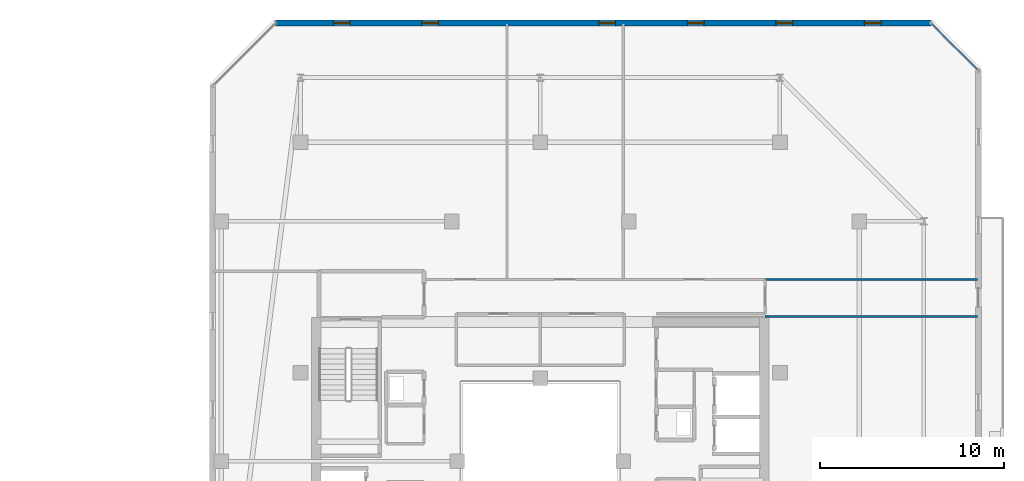
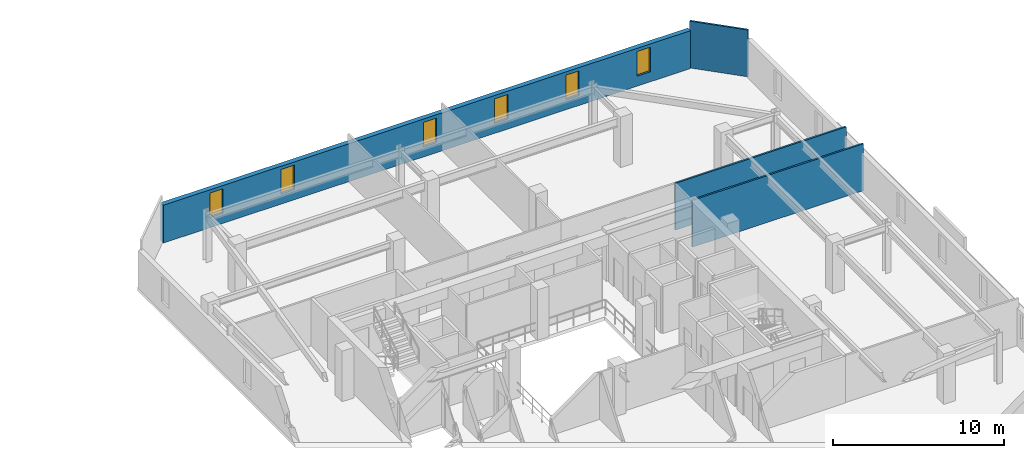
# One storey, part 28 of 35: 6 windows, 4 walls, 6 openings.
"""IFC4 building model written with IfcOpenShell, lengths in metres."""

from ifc_helpers import new_model, si_unit, direction, frame, frame_2d, origin, place, context, subcontext, project, spatial, rectangle, extrude, material, layer, layer_set, type_object, element, fill, save


model = new_model("IFC4")

# Units and contexts
model_context = context("Model", 3, precision=1e-05, world=origin(), true_north=direction((0.0, 1.0)))
body_context = subcontext(model_context, "Body", "Model", "MODEL_VIEW")
ifc_project = project(units=[si_unit("LENGTHUNIT", "METRE"), si_unit("AREAUNIT", "SQUARE_METRE"), si_unit("VOLUMEUNIT", "CUBIC_METRE"), si_unit("PLANEANGLEUNIT", "RADIAN"), si_unit("MASSUNIT", "GRAM", prefix="KILO")], contexts=[model_context])

# Site, building, storey
site_placement = place(None, origin())
site = spatial("IfcSite", under=ifc_project, at=site_placement, CompositionType="ELEMENT")
building_placement = place(site_placement, origin())
building = spatial("IfcBuilding", under=site, at=building_placement, Name="Thornwick Lancets Civic Towers", CompositionType="ELEMENT")
storey_placement = place(building_placement, frame((0.0, 0.0, 265.5)))
storey = spatial("IfcBuildingStorey", under=building, at=storey_placement, Name="L71", CompositionType="ELEMENT", Elevation=265.5)

# Wall, openings, windows
ifc_material_1 = material(Name="Insulated buff terracotta rainscreen on concrete C40/50", Category="masonry")
ifc_layer_1 = layer(ifc_material_1, 0.320068359375, Name="Insulated buff terracotta rainscreen on concrete C40/50")
ifc_layer_set_1 = layer_set([ifc_layer_1], Name="Insulated buff terracotta rainscreen on concrete C40/50")
wall_type_1 = type_object("IfcWallType", Name="WALL_EXT_TERRA_320", PredefinedType="STANDARD", material=ifc_layer_set_1)
wall_1_placement = place(storey_placement, frame((109.681396484375, 50.7646484375, 0.0), z_axis=(0.0, 0.0, 1.0), x_axis=(-0.999999997144, -7.5574884e-05, 0.0)))
wall_1 = element("IfcWall", 1, at=wall_1_placement, inside=storey, type_object=wall_type_1, Name="L71 Tower B Terracotta Facade Wall E4", PredefinedType="STANDARD", context=body_context, shape_type="SweptSolid", body=[
    extrude(rectangle(XDim=35.534912109375, YDim=0.320068359375, at=frame_2d((17.767578125, 0.0))), origin(), (0.0, 0.0, 1.0), 2.699951171875),
])
opening_1_placement = place(wall_1_placement, frame((2.699951171875, 0.0, 0.719970703125)))
opening_1 = element("IfcOpeningElement", 2, at=opening_1_placement, cuts=wall_1, Name="Opening WL-01", PredefinedType="OPENING", context=body_context, shape_type="SweptSolid", body=[
    extrude(rectangle(XDim=0.89990234375, YDim=1.75, at=frame_2d((0.449951171875, 0.875))), frame((0.0, 0.169921875, 0.0), z_axis=(0.0, -1.0, 0.0), x_axis=(1.0, 0.0, 0.0)), (0.0, 0.0, 1.0), 0.340087890625),
])
opening_2_placement = place(wall_1_placement, frame((7.5, 0.0, 0.719970703125)))
opening_2 = element("IfcOpeningElement", 3, at=opening_2_placement, cuts=wall_1, Name="Opening WL-01", PredefinedType="OPENING", context=body_context, shape_type="SweptSolid", body=[
    extrude(rectangle(XDim=0.89990234375, YDim=1.75, at=frame_2d((0.449951171875, 0.875))), frame((0.0, 0.169921875, 0.0), z_axis=(0.0, -1.0, 0.0), x_axis=(1.0, 0.0, 0.0)), (0.0, 0.0, 1.0), 0.340087890625),
])
opening_3_placement = place(wall_1_placement, frame((12.300048828125, 0.0, 0.719970703125)))
opening_3 = element("IfcOpeningElement", 4, at=opening_3_placement, cuts=wall_1, Name="Opening WL-01", PredefinedType="OPENING", context=body_context, shape_type="SweptSolid", body=[
    extrude(rectangle(XDim=0.89990234375, YDim=1.75, at=frame_2d((0.449951171875, 0.875))), frame((0.0, 0.169921875, 0.0), z_axis=(0.0, -1.0, 0.0), x_axis=(1.0, 0.0, 0.0)), (0.0, 0.0, 1.0), 0.340087890625),
])
opening_4_placement = place(wall_1_placement, frame((17.10009765625, 0.0, 0.719970703125)))
opening_4 = element("IfcOpeningElement", 5, at=opening_4_placement, cuts=wall_1, Name="Opening WL-01", PredefinedType="OPENING", context=body_context, shape_type="SweptSolid", body=[
    extrude(rectangle(XDim=0.89990234375, YDim=1.75, at=frame_2d((0.449951171875, 0.875))), frame((0.0, 0.169921875, 0.0), z_axis=(0.0, -1.0, 0.0), x_axis=(1.0, 0.0, 0.0)), (0.0, 0.0, 1.0), 0.340087890625),
])
opening_5_placement = place(wall_1_placement, frame((26.699951171875, 0.0, 0.719970703125)))
opening_5 = element("IfcOpeningElement", 6, at=opening_5_placement, cuts=wall_1, Name="Opening WL-01", PredefinedType="OPENING", context=body_context, shape_type="SweptSolid", body=[
    extrude(rectangle(XDim=0.89990234375, YDim=1.75, at=frame_2d((0.449951171875, 0.875))), frame((0.0, 0.169921875, 0.0), z_axis=(0.0, -1.0, 0.0), x_axis=(1.0, 0.0, 0.0)), (0.0, 0.0, 1.0), 0.340087890625),
])
opening_6_placement = place(wall_1_placement, frame((31.5, 0.0, 0.719970703125)))
opening_6 = element("IfcOpeningElement", 7, at=opening_6_placement, cuts=wall_1, Name="Opening WL-01", PredefinedType="OPENING", context=body_context, shape_type="SweptSolid", body=[
    extrude(rectangle(XDim=0.89990234375, YDim=1.75, at=frame_2d((0.449951171875, 0.875))), frame((0.0, 0.169921875, 0.0), z_axis=(0.0, -1.0, 0.0), x_axis=(1.0, 0.0, 0.0)), (0.0, 0.0, 1.0), 0.340087890625),
])
ifc_material_2 = material(Name="Clear low-e double glazing in bronze frame", Category="glass")
window_type = type_object("IfcWindowType", Name="WIN_LANCET_900", PartitioningType="SINGLE_PANEL", PredefinedType="WINDOW", material=ifc_material_2)
window_1_placement = place(opening_1_placement, origin())
window_1 = element("IfcWindow", 8, at=window_1_placement, inside=storey, type_object=window_type, Name="L71 Tower B Staggered Lancet Window E4-1", OverallHeight=1.75, OverallWidth=0.89990234375, PartitioningType="SINGLE_PANEL", PredefinedType="WINDOW", context=body_context, shape_type="SweptSolid", body=[
    extrude(rectangle(XDim=0.89990234375, YDim=1.75, at=frame_2d((0.449951171875, 0.875))), frame((0.0, 0.030029296875, 0.0), z_axis=(0.0, -1.0, 0.0), x_axis=(1.0, 0.0, 0.0)), (0.0, 0.0, 1.0), 0.06005859375),
])
fill(opening_1, window_1)
window_2_placement = place(opening_2_placement, origin())
window_2 = element("IfcWindow", 9, at=window_2_placement, inside=storey, type_object=window_type, Name="L71 Tower B Staggered Lancet Window E4-2", OverallHeight=1.75, OverallWidth=0.89990234375, PartitioningType="SINGLE_PANEL", PredefinedType="WINDOW", context=body_context, shape_type="SweptSolid", body=[
    extrude(rectangle(XDim=0.89990234375, YDim=1.75, at=frame_2d((0.449951171875, 0.875))), frame((0.0, 0.030029296875, 0.0), z_axis=(0.0, -1.0, 0.0), x_axis=(1.0, 0.0, 0.0)), (0.0, 0.0, 1.0), 0.06005859375),
])
fill(opening_2, window_2)
window_3_placement = place(opening_3_placement, origin())
window_3 = element("IfcWindow", 10, at=window_3_placement, inside=storey, type_object=window_type, Name="L71 Tower B Staggered Lancet Window E4-3", OverallHeight=1.75, OverallWidth=0.89990234375, PartitioningType="SINGLE_PANEL", PredefinedType="WINDOW", context=body_context, shape_type="SweptSolid", body=[
    extrude(rectangle(XDim=0.89990234375, YDim=1.75, at=frame_2d((0.449951171875, 0.875))), frame((0.0, 0.030029296875, 0.0), z_axis=(0.0, -1.0, 0.0), x_axis=(1.0, 0.0, 0.0)), (0.0, 0.0, 1.0), 0.06005859375),
])
fill(opening_3, window_3)
window_4_placement = place(opening_4_placement, origin())
window_4 = element("IfcWindow", 11, at=window_4_placement, inside=storey, type_object=window_type, Name="L71 Tower B Staggered Lancet Window E4-4", OverallHeight=1.75, OverallWidth=0.89990234375, PartitioningType="SINGLE_PANEL", PredefinedType="WINDOW", context=body_context, shape_type="SweptSolid", body=[
    extrude(rectangle(XDim=0.89990234375, YDim=1.75, at=frame_2d((0.449951171875, 0.875))), frame((0.0, 0.030029296875, 0.0), z_axis=(0.0, -1.0, 0.0), x_axis=(1.0, 0.0, 0.0)), (0.0, 0.0, 1.0), 0.06005859375),
])
fill(opening_4, window_4)
window_5_placement = place(opening_5_placement, origin())
window_5 = element("IfcWindow", 12, at=window_5_placement, inside=storey, type_object=window_type, Name="L71 Tower B Staggered Lancet Window E4-5", OverallHeight=1.75, OverallWidth=0.89990234375, PartitioningType="SINGLE_PANEL", PredefinedType="WINDOW", context=body_context, shape_type="SweptSolid", body=[
    extrude(rectangle(XDim=0.89990234375, YDim=1.75, at=frame_2d((0.449951171875, 0.875))), frame((0.0, 0.030029296875, 0.0), z_axis=(0.0, -1.0, 0.0), x_axis=(1.0, 0.0, 0.0)), (0.0, 0.0, 1.0), 0.06005859375),
])
fill(opening_5, window_5)
window_6_placement = place(opening_6_placement, origin())
window_6 = element("IfcWindow", 13, at=window_6_placement, inside=storey, type_object=window_type, Name="L71 Tower B Staggered Lancet Window E4-6", OverallHeight=1.75, OverallWidth=0.89990234375, PartitioningType="SINGLE_PANEL", PredefinedType="WINDOW", context=body_context, shape_type="SweptSolid", body=[
    extrude(rectangle(XDim=0.89990234375, YDim=1.75, at=frame_2d((0.449951171875, 0.875))), frame((0.0, 0.030029296875, 0.0), z_axis=(0.0, -1.0, 0.0), x_axis=(1.0, 0.0, 0.0)), (0.0, 0.0, 1.0), 0.06005859375),
])
fill(opening_6, window_6)

# Walls
ifc_material_3 = material(Name="Acoustic gypsum board partition")
ifc_layer_2 = layer(ifc_material_3, 0.1201171875, Name="Acoustic gypsum board partition")
ifc_layer_set_2 = layer_set([ifc_layer_2], Name="Acoustic gypsum board partition")
wall_type_2 = type_object("IfcWallType", Name="WALL_PART_120", PredefinedType="PARTITIONING", material=ifc_layer_set_2)
for number, where, z_axis, x_axis, name in (
    (14, (100.699951171875, 36.85009765625, 0.0), (0.0, 0.0, 1.0), (1.0, 0.0, 0.0), "L71 Partition L71-B-RECLAIM-L E4"),
    (15, (112.219970703125, 34.85009765625, 0.0), (0.0, 0.0, 1.0), (-1.0, 0.0, 0.0), "L71 Partition L71-B-RECLAIM-L E6"),
):
    element("IfcWall", number, at=place(storey_placement, frame(where, z_axis=z_axis, x_axis=x_axis)), inside=storey, type_object=wall_type_2, Name=name, PredefinedType="PARTITIONING", context=body_context, shape_type="SweptSolid", body=[
        extrude(rectangle(XDim=11.52001953125, YDim=0.1201171875, at=frame_2d((5.760009765625, 0.0))), origin(), (0.0, 0.0, 1.0), 3.340087890625),
    ])
wall_2_placement = place(storey_placement, frame((109.725341796875, 50.719970703125, 0.0), z_axis=(0.0, 0.0, 1.0), x_axis=(0.707106781187, -0.707106781187, 0.0)))
element("IfcWall", 16, at=wall_2_placement, inside=storey, type_object=wall_type_2, Name="L71 Partition L71-B-E1 E4", PredefinedType="PARTITIONING", context=body_context, shape_type="SweptSolid", body=[
    extrude(rectangle(XDim=3.52783203125, YDim=0.1201171875, at=frame_2d((1.763916015625, 0.0))), origin(), (0.0, 0.0, 1.0), 3.340087890625),
])

save(model, "model.ifc")
